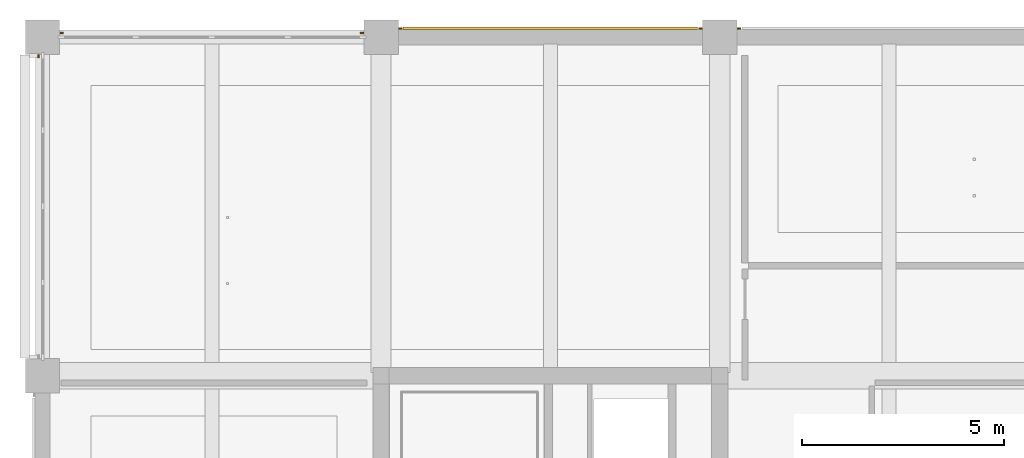
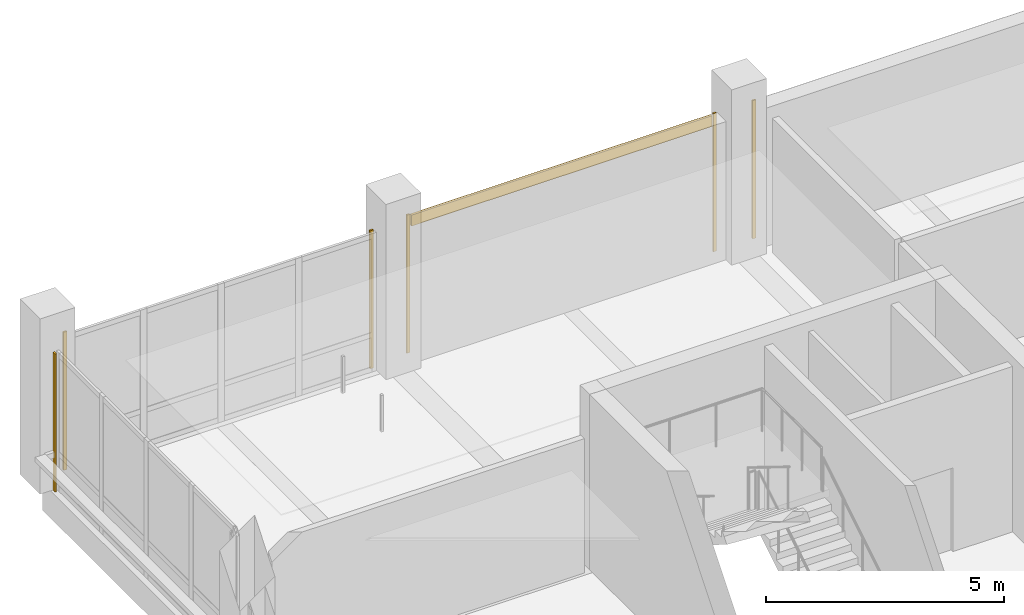
# One storey, part 33 of 36: 7 coverings.
"""IFC4 building model written with IfcOpenShell, lengths in metres."""

from ifc_helpers import new_model, si_unit, direction, frame, origin, origin_2d, place, context, subcontext, project, spatial, rectangle, extrude, material, layer, layer_set, type_object, element, save


model = new_model("IFC4")

# Units and contexts
model_context = context("Model", 3, precision=1e-05, world=origin(), true_north=direction((0.0, 1.0)))
body_context = subcontext(model_context, "Body", "Model", "MODEL_VIEW")
ifc_project = project(units=[si_unit("LENGTHUNIT", "METRE"), si_unit("AREAUNIT", "SQUARE_METRE"), si_unit("VOLUMEUNIT", "CUBIC_METRE"), si_unit("PLANEANGLEUNIT", "RADIAN"), si_unit("MASSUNIT", "GRAM", prefix="KILO")], contexts=[model_context])

# Site, building, storey
site_placement = place(None, origin())
site = spatial("IfcSite", under=ifc_project, at=site_placement, CompositionType="ELEMENT")
building_placement = place(site_placement, origin())
building = spatial("IfcBuilding", under=site, at=building_placement, Name="Telukmera Botanical Conservatory", CompositionType="ELEMENT")
storey_placement = place(building_placement, frame((0.0, 0.0, 24.0)))
storey = spatial("IfcBuildingStorey", under=building, at=storey_placement, Name="L05", CompositionType="ELEMENT", Elevation=24.0)

# Coverings
ifc_material_1 = material(Name="Granite-faced precast concrete C40/50", Category="masonry")
ifc_layer_1 = layer(ifc_material_1, 0.0400390625)
ifc_layer_set_1 = layer_set([ifc_layer_1], Name="Granite-faced precast concrete C40/50")
covering_type_1 = type_object("IfcCoveringType", Name="Granite Precast Column Pier Reveal Casing", PredefinedType="CLADDING", material=ifc_layer_set_1)
for number, where, z_axis, x_axis, name in (
    (1, (50.876953125, 42.89990234375, 0.0), (0.0, 0.0, 1.0), (1.0, 0.0, 0.0), "Granite Pier Reveal V4:L05:N1 L"),
    (2, (58.322998046875, 42.89990234375, 0.0), (0.0, 0.0, 1.0), (1.0, 0.0, 0.0), "Granite Pier Reveal V4:L05:N1 R"),
    (3, (59.277099609375, 43.010009765625, 0.0), (0.0, 0.0, 1.0), (1.0, 0.0, 0.0), "Granite Pier Reveal V4:L05:N2 L"),
    (4, (66.722900390625, 43.010009765625, 0.0), (0.0, 0.0, 1.0), (1.0, 0.0, 0.0), "Granite Pier Reveal V4:L05:N2 R"),
    (5, (67.677001953125, 43.010009765625, 0.0), (0.0, 0.0, 1.0), (1.0, 0.0, 0.0), "Granite Pier Reveal V4:L05:N3 L"),
    (6, (50.300048828125, 42.322998046875, 0.0), (0.0, 0.0, 1.0), (0.0, 1.0, 0.0), "Granite Pier Reveal V4:L05:W4 R"),
):
    element("IfcCovering", number, at=place(storey_placement, frame(where, z_axis=z_axis, x_axis=x_axis)), inside=storey, type_object=covering_type_1, Name=name, PredefinedType="CLADDING", context=body_context, shape_type="SweptSolid", body=[
        extrude(rectangle(XDim=0.080078125, YDim=0.0400390625, at=origin_2d()), origin(), (0.0, 0.0, 1.0), 3.550048828125),
    ])
ifc_material_2 = material(Name="Terracotta-faced precast concrete C40/50", Category="masonry")
ifc_layer_2 = layer(ifc_material_2, 0.06005859375)
ifc_layer_set_2 = layer_set([ifc_layer_2], Name="Terracotta-faced precast concrete C40/50")
covering_type_2 = type_object("IfcCoveringType", Name="Polychrome Terracotta Facade Band Cladding", PredefinedType="CLADDING", material=ifc_layer_set_2)
covering_placement = place(storey_placement, frame((63.0, 43.02001953125, 3.22998046875), z_axis=(0.0, 0.0, 1.0), x_axis=(1.0, 0.0, 0.0)))
element("IfcCovering", 7, at=covering_placement, inside=storey, type_object=covering_type_2, Name="Polychrome Terracotta Band V4:L05:N2", PredefinedType="CLADDING", context=body_context, shape_type="SweptSolid", body=[
    extrude(rectangle(XDim=7.305908203125, YDim=0.06005859375, at=origin_2d()), origin(), (0.0, 0.0, 1.0), 0.280029296875),
])

save(model, "model.ifc")
